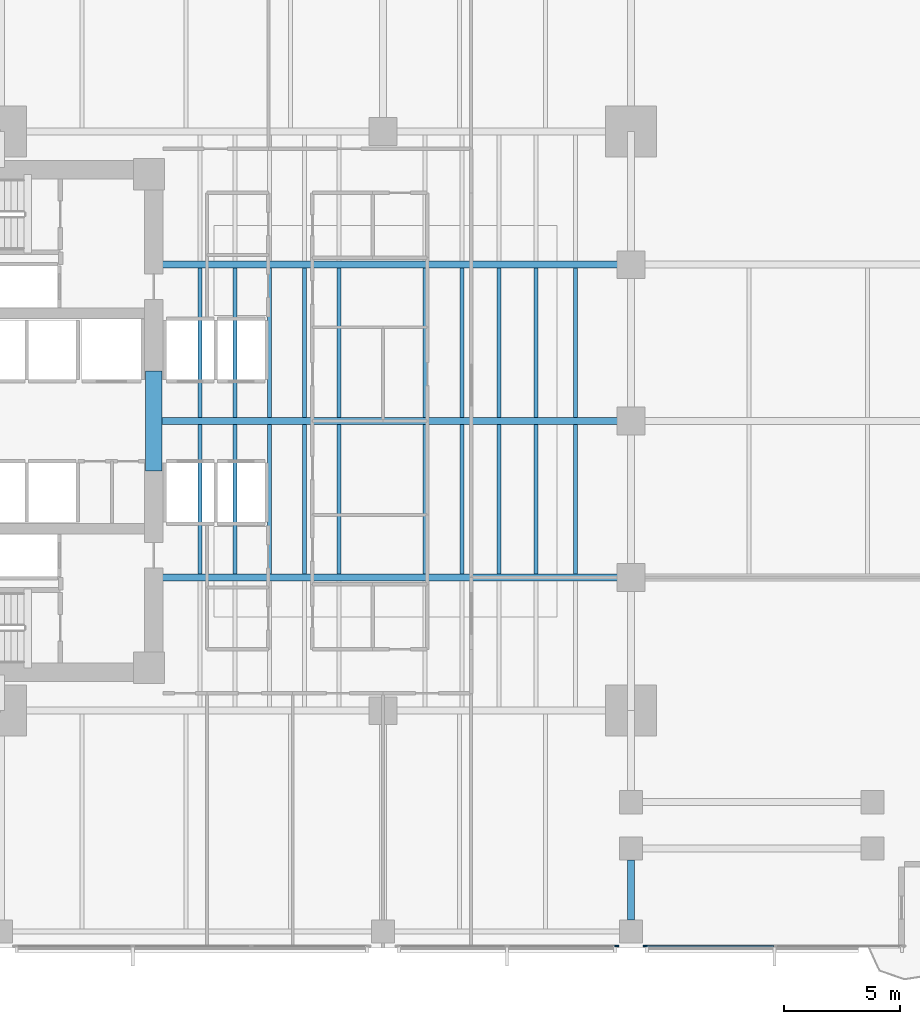
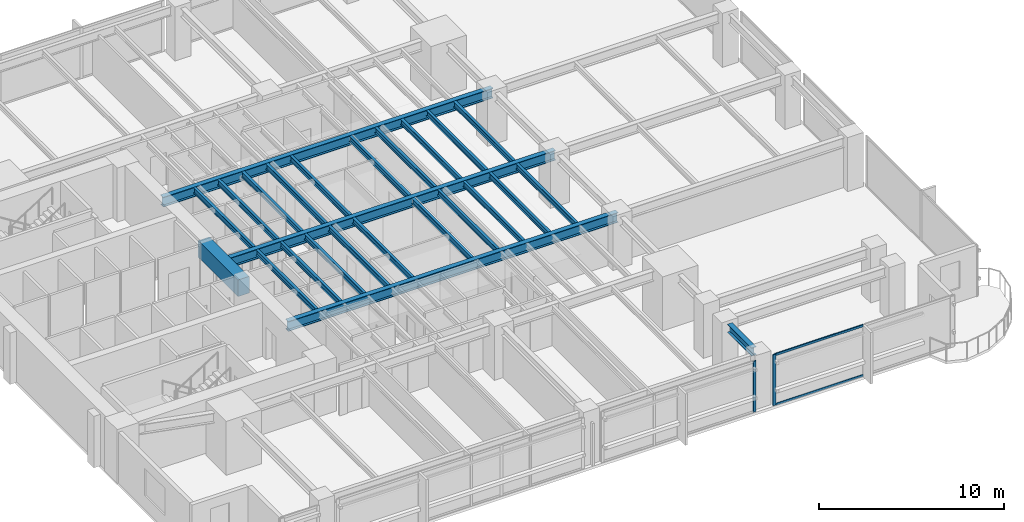
# One storey, part 3 of 15: 25 beams, 4 members, 2 elements without a shape of their own.
"""IFC4 building model written with IfcOpenShell, lengths in metres."""

from ifc_helpers import new_model, si_unit, direction, frame, origin, origin_2d, place, context, subcontext, project, spatial, rectangle, i_section, extrude, material, layer, layer_set, material_profile, profile_set, type_object, element, aggregate, save


model = new_model("IFC4")

# Units and contexts
model_context = context("Model", 3, precision=1e-05, world=origin(), true_north=direction((0.0, 1.0)))
body_context = subcontext(model_context, "Body", "Model", "MODEL_VIEW")
ifc_project = project(units=[si_unit("LENGTHUNIT", "METRE"), si_unit("AREAUNIT", "SQUARE_METRE"), si_unit("VOLUMEUNIT", "CUBIC_METRE"), si_unit("PLANEANGLEUNIT", "RADIAN"), si_unit("MASSUNIT", "GRAM", prefix="KILO")], contexts=[model_context])

# Site, building, storey
site_placement = place(None, origin())
site = spatial("IfcSite", under=ifc_project, at=site_placement, CompositionType="ELEMENT")
building_placement = place(site_placement, origin())
building = spatial("IfcBuilding", under=site, at=building_placement, Name="Kinhvarn Gate Tower", CompositionType="ELEMENT")
storey_placement = place(building_placement, frame((0.0, 0.0, 89.5)))
storey = spatial("IfcBuildingStorey", under=building, at=storey_placement, Name="L23", CompositionType="ELEMENT", Elevation=89.5)

# Beam
ifc_material_1 = material(Name="Concrete C70/85", Category="concrete")
ifc_material_profile_1 = material_profile(ifc_material_1, rectangle(XDim=0.699951171875, YDim=1.10009765625, at=origin_2d()), Name="RC 700x1100")
ifc_profile_set_1 = profile_set([ifc_material_profile_1], Name="Concrete C70/85")
beam_type_1 = type_object("IfcBeamType", Name="BM-CB-1100", PredefinedType="LINTEL", material=ifc_profile_set_1)
beam_1_placement = place(storey_placement, frame((17.60009765625, 23.10009765625, 2.800048828125), z_axis=(0.0, 1.0, 0.0), x_axis=(-1.0, 0.0, 0.0)))
element("IfcBeam", 1, at=beam_1_placement, inside=storey, type_object=beam_type_1, Name="Core East Portal Coupling Beam L23", PredefinedType="LINTEL", context=body_context, shape_type="SweptSolid", body=[
    extrude(rectangle(XDim=0.699951171875, YDim=1.10009765625, at=origin_2d()), origin(), (0.0, 0.0, 1.0), 4.2998046875),
])

# Curtain wall, member
ifc_material_2 = material(Name="Anodised aluminium AW-6063", Category="aluminium")
ifc_layer = layer(ifc_material_2, 0.179931640625)
ifc_layer_set = layer_set([ifc_layer], Name="Anodised aluminium AW-6063")
curtain_wall_type = type_object("IfcCurtainWallType", Name="CW-SYS-2", PredefinedType="NOTDEFINED", material=ifc_layer_set)
curtain_wall_1_placement = place(storey_placement, origin())
curtain_wall_1 = element("IfcCurtainWall", 2, at=curtain_wall_1_placement, inside=storey, type_object=curtain_wall_type, Name="Curtain Wall CW2 (L23)", PredefinedType="NOTDEFINED")
ifc_material_profile_2 = material_profile(ifc_material_2, rectangle(XDim=0.070068359375, YDim=0.179931640625, at=origin_2d()), Name="ALU 70x180")
ifc_profile_set_2 = profile_set([ifc_material_profile_2], Name="Anodised aluminium AW-6063")
member_type_1 = type_object("IfcMemberType", Name="CW-MUL-180", PredefinedType="MULLION", material=ifc_profile_set_2)
member_1_placement = place(storey_placement, frame((37.5849609375, 2.590087890625, 0.0), z_axis=(0.0, 0.0, 1.0), x_axis=(0.0, 1.0, 0.0)))
member_1 = element("IfcMember", 3, at=member_1_placement, type_object=member_type_1, Name="CW2 mullion 3", PredefinedType="MULLION", context=body_context, shape_type="SweptSolid", body=[
    extrude(rectangle(XDim=0.070068359375, YDim=0.179931640625, at=origin_2d()), origin(), (0.0, 0.0, 1.0), 3.35009765625),
])
aggregate(curtain_wall_1, [member_1])

# Curtain wall, members
curtain_wall_2_placement = place(storey_placement, origin())
curtain_wall_2 = element("IfcCurtainWall", 4, at=curtain_wall_2_placement, inside=storey, type_object=curtain_wall_type, Name="Curtain Wall CW2 (L23)", PredefinedType="NOTDEFINED")
member_2_placement = place(storey_placement, frame((38.81494140625, 2.590087890625, 0.0), z_axis=(0.0, 0.0, 1.0), x_axis=(0.0, 1.0, 0.0)))
member_2 = element("IfcMember", 5, at=member_2_placement, type_object=member_type_1, Name="CW2 mullion 1", PredefinedType="MULLION", context=body_context, shape_type="SweptSolid", body=[
    extrude(rectangle(XDim=0.070068359375, YDim=0.179931640625, at=origin_2d()), origin(), (0.0, 0.0, 1.0), 3.35009765625),
])
ifc_material_profile_3 = material_profile(ifc_material_2, rectangle(XDim=0.070068359375, YDim=0.139892578125, at=origin_2d()), Name="ALU 70x140")
ifc_profile_set_3 = profile_set([ifc_material_profile_3], Name="Anodised aluminium AW-6063")
member_type_2 = type_object("IfcMemberType", Name="CW-TRN-140", PredefinedType="USERDEFINED", material=ifc_profile_set_3)
member_3_placement = place(storey_placement, frame((38.85009765625, 2.590087890625, 0.034912109375), z_axis=(1.0, 0.0, 0.0), x_axis=(0.0, 1.0, 0.0)))
member_3 = element("IfcMember", 6, at=member_3_placement, type_object=member_type_2, Name="CW2 transom 1.1", ObjectType="TRANSOM", PredefinedType="USERDEFINED", context=body_context, shape_type="SweptSolid", body=[
    extrude(rectangle(XDim=0.070068359375, YDim=0.139892578125, at=origin_2d()), origin(), (0.0, 0.0, 1.0), 5.5048828125),
])
member_4_placement = place(storey_placement, frame((38.85009765625, 2.590087890625, 3.31494140625), z_axis=(1.0, 0.0, 0.0), x_axis=(0.0, 1.0, 0.0)))
member_4 = element("IfcMember", 7, at=member_4_placement, type_object=member_type_2, Name="CW2 transom 1.2", ObjectType="TRANSOM", PredefinedType="USERDEFINED", context=body_context, shape_type="SweptSolid", body=[
    extrude(rectangle(XDim=0.070068359375, YDim=0.139892578125, at=origin_2d()), origin(), (0.0, 0.0, 1.0), 5.5048828125),
])
aggregate(curtain_wall_2, [member_2, member_3, member_4])

# Beams
ifc_material_3 = material(Name="Steel S355", Category="steel")
ifc_material_profile_4 = material_profile(ifc_material_3, i_section(OverallWidth=0.300048828125, OverallDepth=0.550048828125, WebThickness=0.014892578125, FlangeThickness=0.029052734375, at=origin_2d()), Name="HEB 550")
ifc_profile_set_4 = profile_set([ifc_material_profile_4], Name="Steel S355")
beam_type_2 = type_object("IfcBeamType", Name="STL-HEB550", PredefinedType="BEAM", material=ifc_profile_set_4)
beam_2_placement = place(storey_placement, frame((38.199951171875, 3.705078125, 3.074951171875), z_axis=(0.0, 1.0, 0.0), x_axis=(-1.0, 0.0, 0.0)))
element("IfcBeam", 8, at=beam_2_placement, inside=storey, type_object=beam_type_2, Name="Floor Beam PG-15 (L23 MCE-S-A0)", PredefinedType="BEAM", context=body_context, shape_type="SweptSolid", body=[
    extrude(i_section(OverallWidth=0.300048828125, OverallDepth=0.550048828125, WebThickness=0.014892578125, FlangeThickness=0.029052734375, at=origin_2d()), origin(), (0.0, 0.0, 1.0), 2.60986328125),
])
ifc_material_profile_5 = material_profile(ifc_material_3, i_section(OverallWidth=0.300048828125, OverallDepth=0.64990234375, WebThickness=0.01611328125, FlangeThickness=0.031005859375, at=origin_2d()), Name="HEB 650")
ifc_profile_set_5 = profile_set([ifc_material_profile_5], Name="Steel S355")
beam_type_3 = type_object("IfcBeamType", Name="STL-HEB650", PredefinedType="BEAM", material=ifc_profile_set_5)
beam_3_placement = place(storey_placement, frame((17.64990234375, 18.5, 3.02490234375), z_axis=(1.0, 0.0, 0.0), x_axis=(0.0, 1.0, 0.0)))
element("IfcBeam", 9, at=beam_3_placement, inside=storey, type_object=beam_type_3, Name="Floor Beam PG-17 (L23 EW1-Y18)", PredefinedType="BEAM", context=body_context, shape_type="SweptSolid", body=[
    extrude(i_section(OverallWidth=0.300048828125, OverallDepth=0.64990234375, WebThickness=0.01611328125, FlangeThickness=0.031005859375, at=origin_2d()), origin(), (0.0, 0.0, 1.0), 20.550048828125),
])
beam_4_placement = place(storey_placement, frame((17.949951171875, 25.25, 3.02490234375), z_axis=(1.0, 0.0, 0.0), x_axis=(0.0, 1.0, 0.0)))
element("IfcBeam", 10, at=beam_4_placement, inside=storey, type_object=beam_type_3, Name="Floor Beam PG-17 (L23 EW1-Y25)", PredefinedType="BEAM", context=body_context, shape_type="SweptSolid", body=[
    extrude(i_section(OverallWidth=0.300048828125, OverallDepth=0.64990234375, WebThickness=0.01611328125, FlangeThickness=0.031005859375, at=origin_2d()), origin(), (0.0, 0.0, 1.0), 20.25),
])
beam_5_placement = place(storey_placement, frame((17.64990234375, 32.0, 3.02490234375), z_axis=(1.0, 0.0, 0.0), x_axis=(0.0, 1.0, 0.0)))
element("IfcBeam", 11, at=beam_5_placement, inside=storey, type_object=beam_type_3, Name="Floor Beam PG-17 (L23 EW1-Y32)", PredefinedType="BEAM", context=body_context, shape_type="SweptSolid", body=[
    extrude(i_section(OverallWidth=0.300048828125, OverallDepth=0.64990234375, WebThickness=0.01611328125, FlangeThickness=0.031005859375, at=origin_2d()), origin(), (0.0, 0.0, 1.0), 20.550048828125),
])
ifc_material_profile_6 = material_profile(ifc_material_3, i_section(OverallWidth=0.169921875, OverallDepth=0.360107421875, WebThickness=0.008056640625, FlangeThickness=0.0126953125, at=origin_2d()), Name="IPE 360")
ifc_profile_set_6 = profile_set([ifc_material_profile_6], Name="Steel S355")
beam_type_4 = type_object("IfcBeamType", Name="STL-IPE360", PredefinedType="JOIST", material=ifc_profile_set_6)
for number, where, z_axis, x_axis, name in (
    (12, (19.60009765625, 18.64990234375, 3.169921875), (0.0, 1.0, 0.0), (-1.0, 0.0, 0.0), "Floor Joist SB-04 (L23 JC-X196-1)"),
    (13, (19.60009765625, 25.39990234375, 3.169921875), (0.0, 1.0, 0.0), (-1.0, 0.0, 0.0), "Floor Joist SB-04 (L23 JC-X196-2)"),
    (14, (21.10009765625, 18.64990234375, 3.169921875), (0.0, 1.0, 0.0), (-1.0, 0.0, 0.0), "Floor Joist SB-04 (L23 JC-X211-1)"),
    (15, (21.10009765625, 25.39990234375, 3.169921875), (0.0, 1.0, 0.0), (-1.0, 0.0, 0.0), "Floor Joist SB-04 (L23 JC-X211-2)"),
    (16, (22.60009765625, 18.64990234375, 3.169921875), (0.0, 1.0, 0.0), (-1.0, 0.0, 0.0), "Floor Joist SB-04 (L23 JC-X226-1)"),
    (17, (22.60009765625, 25.39990234375, 3.169921875), (0.0, 1.0, 0.0), (-1.0, 0.0, 0.0), "Floor Joist SB-04 (L23 JC-X226-2)"),
    (18, (24.10009765625, 18.64990234375, 3.169921875), (0.0, 1.0, 0.0), (-1.0, 0.0, 0.0), "Floor Joist SB-04 (L23 JC-X241-1)"),
    (19, (24.10009765625, 25.39990234375, 3.169921875), (0.0, 1.0, 0.0), (-1.0, 0.0, 0.0), "Floor Joist SB-04 (L23 JC-X241-2)"),
    (20, (25.60009765625, 18.64990234375, 3.169921875), (0.0, 1.0, 0.0), (-1.0, 0.0, 0.0), "Floor Joist SB-04 (L23 JC-X256-1)"),
    (21, (25.60009765625, 25.39990234375, 3.169921875), (0.0, 1.0, 0.0), (-1.0, 0.0, 0.0), "Floor Joist SB-04 (L23 JC-X256-2)"),
    (22, (29.300048828125, 18.64990234375, 3.169921875), (0.0, 1.0, 0.0), (-1.0, 0.0, 0.0), "Floor Joist SB-04 (L23 JC-X293-1)"),
    (23, (29.300048828125, 25.39990234375, 3.169921875), (0.0, 1.0, 0.0), (-1.0, 0.0, 0.0), "Floor Joist SB-04 (L23 JC-X293-2)"),
    (24, (30.89990234375, 18.64990234375, 3.169921875), (0.0, 1.0, 0.0), (-1.0, 0.0, 0.0), "Floor Joist SB-04 (L23 JC-X309-1)"),
    (25, (30.89990234375, 25.39990234375, 3.169921875), (0.0, 1.0, 0.0), (-1.0, 0.0, 0.0), "Floor Joist SB-04 (L23 JC-X309-2)"),
    (26, (32.5, 18.64990234375, 3.169921875), (0.0, 1.0, 0.0), (-1.0, 0.0, 0.0), "Floor Joist SB-04 (L23 JC-X325-1)"),
    (27, (32.5, 25.39990234375, 3.169921875), (0.0, 1.0, 0.0), (-1.0, 0.0, 0.0), "Floor Joist SB-04 (L23 JC-X325-2)"),
    (28, (34.10009765625, 18.64990234375, 3.169921875), (0.0, 1.0, 0.0), (-1.0, 0.0, 0.0), "Floor Joist SB-04 (L23 JC-X341-1)"),
    (29, (34.10009765625, 25.39990234375, 3.169921875), (0.0, 1.0, 0.0), (-1.0, 0.0, 0.0), "Floor Joist SB-04 (L23 JC-X341-2)"),
    (30, (35.800048828125, 18.64990234375, 3.169921875), (0.0, 1.0, 0.0), (-1.0, 0.0, 0.0), "Floor Joist SB-04 (L23 JC-X358-1)"),
    (31, (35.800048828125, 25.39990234375, 3.169921875), (0.0, 1.0, 0.0), (-1.0, 0.0, 0.0), "Floor Joist SB-04 (L23 JC-X358-2)"),
):
    element("IfcBeam", number, at=place(storey_placement, frame(where, z_axis=z_axis, x_axis=x_axis)), inside=storey, type_object=beam_type_4, Name=name, PredefinedType="JOIST", context=body_context, shape_type="SweptSolid", body=[
        extrude(i_section(OverallWidth=0.169921875, OverallDepth=0.360107421875, WebThickness=0.008056640625, FlangeThickness=0.0126953125, at=origin_2d()), origin(), (0.0, 0.0, 1.0), 6.4501953125),
    ])

save(model, "model.ifc")
